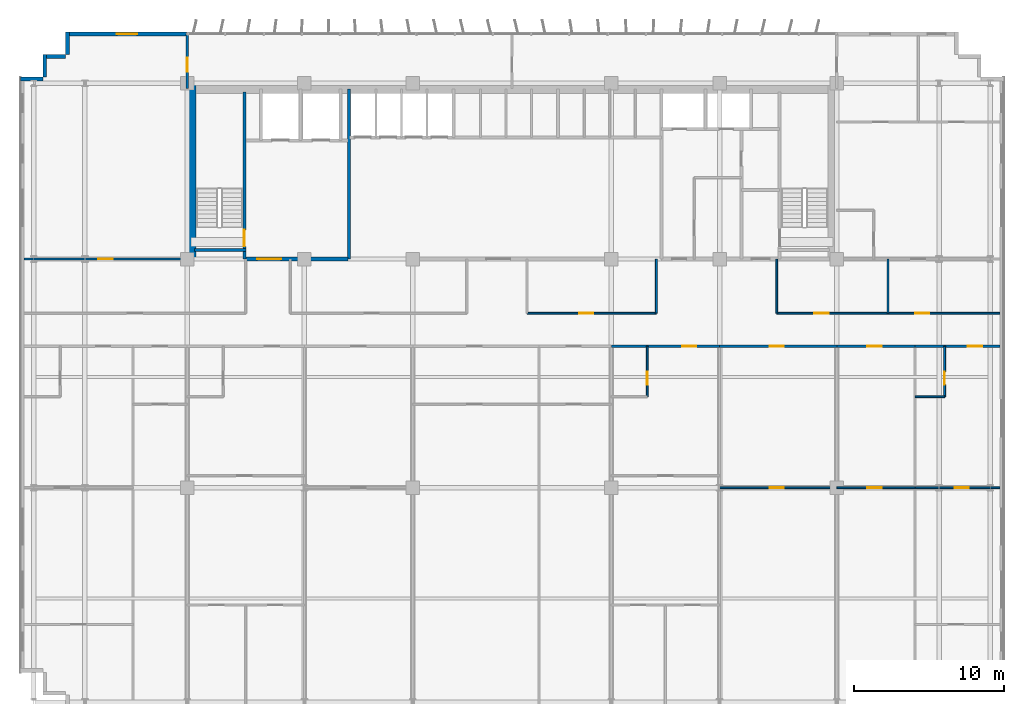
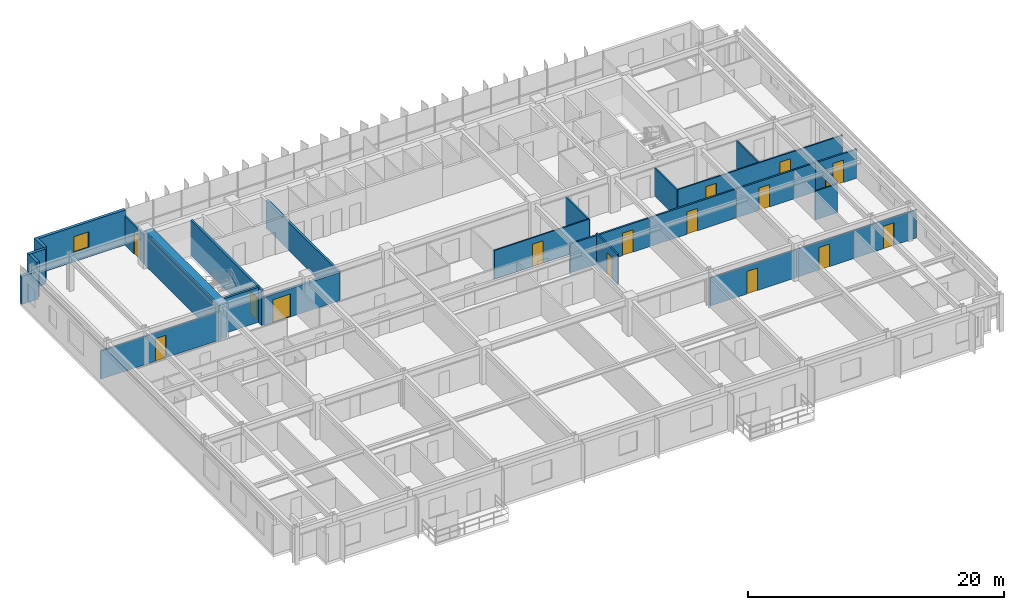
# One storey, part 17 of 22: 27 walls, 16 doors, 1 window, 17 openings.
"""IFC4 building model written with IfcOpenShell, lengths in metres."""

from ifc_helpers import new_model, si_unit, direction, frame, frame_2d, origin, place, context, subcontext, project, spatial, rectangle, extrude, source, transform, mapped, material, layer, layer_set, type_object, element, fill, save


model = new_model("IFC4")

# Units and contexts
model_context = context("Model", 3, precision=1e-05, world=origin(), true_north=direction((0.0, 1.0)))
body_context = subcontext(model_context, "Body", "Model", "MODEL_VIEW")
ifc_project = project(units=[si_unit("LENGTHUNIT", "METRE"), si_unit("AREAUNIT", "SQUARE_METRE"), si_unit("VOLUMEUNIT", "CUBIC_METRE"), si_unit("PLANEANGLEUNIT", "RADIAN"), si_unit("MASSUNIT", "GRAM", prefix="KILO")], contexts=[model_context])

# Site, building, storey
site_placement = place(None, origin())
site = spatial("IfcSite", under=ifc_project, at=site_placement, CompositionType="ELEMENT")
building_placement = place(site_placement, origin())
building = spatial("IfcBuilding", under=site, at=building_placement, Name="Trelvane Seafront Commons", CompositionType="ELEMENT")
storey_placement = place(building_placement, frame((0.0, 0.0, 52.300048828125)))
storey = spatial("IfcBuildingStorey", under=building, at=storey_placement, Name="L13", CompositionType="ELEMENT", Elevation=52.300048828125)

# Wall, opening, window
ifc_material_1 = material(Name="Precast concrete C40/50", Category="concrete")
ifc_layer_1 = layer(ifc_material_1, 0.260009765625, Name="ARCH-WALL-EXT260")
ifc_layer_set_1 = layer_set([ifc_layer_1], Name="Precast concrete C40/50")
wall_type_1 = type_object("IfcWallType", Name="ARCH-WALL-EXT260", PredefinedType="SOLIDWALL", material=ifc_layer_set_1)
wall_1_placement = place(storey_placement, frame((7.60009765625, 48.3701171875, 0.0), z_axis=(0.0, 0.0, 1.0), x_axis=(1.0, 0.0, 0.0)))
wall_1 = element("IfcWall", 1, at=wall_1_placement, inside=storey, type_object=wall_type_1, Name="EW-L13-NW-0213", PredefinedType="SOLIDWALL", context=body_context, shape_type="SweptSolid", body=[
    extrude(rectangle(XDim=8.0, YDim=0.260009765625, at=frame_2d((4.0, 0.0))), origin(), (0.0, 0.0, 1.0), 3.33984375),
])
opening_1_placement = place(wall_1_placement, frame((3.324951171875, 0.0, 0.89990234375)))
opening_1 = element("IfcOpeningElement", 2, at=opening_1_placement, cuts=wall_1, Name="Opening W09", PredefinedType="OPENING", context=body_context, shape_type="SweptSolid", body=[
    extrude(rectangle(XDim=1.35009765625, YDim=1.5, at=frame_2d((0.675048828125, 0.75))), frame((0.0, 0.139892578125, 0.0), z_axis=(0.0, -1.0, 0.0), x_axis=(1.0, 0.0, 0.0)), (0.0, 0.0, 1.0), 0.280029296875),
])
ifc_material_2 = material(Name="Low-E coastal double glazing", Category="glass")
window_type = type_object("IfcWindowType", Name="ARCH-WIN-W09", PartitioningType="SINGLE_PANEL", PredefinedType="WINDOW", material=ifc_material_2)
shared_shape_1 = source(origin(), body_context, "Body", "SweptSolid", [
    extrude(rectangle(XDim=1.35009765625, YDim=1.5, at=frame_2d((0.675048828125, 0.75))), frame((0.0, 0.030029296875, 0.0), z_axis=(0.0, -1.0, 0.0), x_axis=(1.0, 0.0, 0.0)), (0.0, 0.0, 1.0), 0.06005859375),
])
window_placement = place(opening_1_placement, origin())
window = element("IfcWindow", 3, at=window_placement, inside=storey, type_object=window_type, Name="WIN-L13-00262", OverallHeight=1.5, OverallWidth=1.35009765625, PartitioningType="SINGLE_PANEL", PredefinedType="WINDOW", context=body_context, shape_type="MappedRepresentation", body=[
    mapped(shared_shape_1, transform((0.0, 0.0, 0.0), x_axis=(1.0, 0.0, 0.0), y_axis=(0.0, 1.0, 0.0), z_axis=(0.0, 0.0, 1.0), scale=1.0)),
])
fill(opening_1, window)

# Walls
wall_2_placement = place(storey_placement, frame((4.5, 45.3701171875, 0.0), z_axis=(0.0, 0.0, 1.0), x_axis=(1.0, 0.0, 0.0)))
element("IfcWall", 4, at=wall_2_placement, inside=storey, type_object=wall_type_1, Name="EW-L13-00219", PredefinedType="SOLIDWALL", context=body_context, shape_type="SweptSolid", body=[
    extrude(rectangle(XDim=1.5, YDim=0.260009765625, at=frame_2d((0.75, 0.0))), origin(), (0.0, 0.0, 1.0), 2.68994140625),
])
for number, where, z_axis, x_axis, name in (
    (5, (6.1298828125, 45.5, 0.0), (0.0, 0.0, 1.0), (0.0, 1.0, 0.0), "EW-L13-00220"),
    (6, (6.0, 46.8701171875, 0.0), (0.0, 0.0, 1.0), (1.0, 0.0, 0.0), "EW-L13-00221"),
    (7, (7.6298828125, 47.0, 0.0), (0.0, 0.0, 1.0), (0.0, 1.0, 0.0), "EW-L13-00222"),
):
    element("IfcWall", number, at=place(storey_placement, frame(where, z_axis=z_axis, x_axis=x_axis)), inside=storey, type_object=wall_type_1, Name=name, PredefinedType="SOLIDWALL", context=body_context, shape_type="SweptSolid", body=[
        extrude(rectangle(XDim=1.5, YDim=0.260009765625, at=frame_2d((0.75, 0.0))), origin(), (0.0, 0.0, 1.0), 3.33984375),
    ])

# Wall, opening, door
ifc_material_3 = material(Name="Concrete C40/50", Category="concrete")
ifc_layer_2 = layer(ifc_material_3, 0.25, Name="ARCH-WALL-FIRE250")
ifc_layer_set_2 = layer_set([ifc_layer_2], Name="Concrete C40/50")
wall_type_2 = type_object("IfcWallType", Name="ARCH-WALL-FIRE250", PredefinedType="PARTITIONING", material=ifc_layer_set_2)
wall_3_placement = place(storey_placement, frame((19.5, 33.39990234375, 0.0), z_axis=(0.0, 0.0, 1.0), x_axis=(1.0, 0.0, 0.0)))
wall_3 = element("IfcWall", 8, at=wall_3_placement, inside=storey, type_object=wall_type_2, Name="W-L13-CS-FFL-013", PredefinedType="PARTITIONING", context=body_context, shape_type="SweptSolid", body=[
    extrude(rectangle(XDim=6.800048828125, YDim=0.25, at=frame_2d((3.39990234375, 0.0))), origin(), (0.0, 0.0, 1.0), 2.68994140625),
])
opening_2_placement = place(wall_3_placement, frame((0.75, 0.0, 0.0)))
opening_2 = element("IfcOpeningElement", 9, at=opening_2_placement, cuts=wall_3, Name="Opening FD-L13-05", PredefinedType="OPENING", context=body_context, shape_type="SweptSolid", body=[
    extrude(rectangle(XDim=1.60009765625, YDim=2.199951171875, at=frame_2d((0.800048828125, 1.10009765625))), frame((0.0, 0.135009765625, 0.0), z_axis=(0.0, -1.0, 0.0), x_axis=(1.0, 0.0, 0.0)), (0.0, 0.0, 1.0), 0.27001953125),
])
ifc_material_4 = material(Name="Powder-coated aluminium frame", Category="aluminium")
door_type_1 = type_object("IfcDoorType", Name="ARCH-DR-FD60-1600", OperationType="DOUBLE_DOOR_SINGLE_SWING", PredefinedType="DOOR", material=ifc_material_4)
shared_shape_2 = source(origin(), body_context, "Body", "SweptSolid", [
    extrude(rectangle(XDim=1.60009765625, YDim=2.199951171875, at=frame_2d((0.800048828125, 1.10009765625))), frame((0.0, 0.02490234375, 0.0), z_axis=(0.0, -1.0, 0.0), x_axis=(1.0, 0.0, 0.0)), (0.0, 0.0, 1.0), 0.050048828125),
])
door_1_placement = place(opening_2_placement, origin())
door_1 = element("IfcDoor", 10, at=door_1_placement, inside=storey, type_object=door_type_1, Name="L13 Firefighting Lift Lobby Double Fire Door", OperationType="DOUBLE_DOOR_SINGLE_SWING", OverallHeight=2.199951171875, OverallWidth=1.60009765625, PredefinedType="DOOR", context=body_context, shape_type="MappedRepresentation", body=[
    mapped(shared_shape_2, transform((0.0, 0.0, 0.0), x_axis=(1.0, 0.0, 0.0), y_axis=(0.0, 1.0, 0.0), z_axis=(0.0, 0.0, 1.0), scale=1.0)),
])
fill(opening_2, door_1)

ifc_material_5 = material(Name="Gypsum Drywall Acoustic Partition")
ifc_layer_3 = layer(ifc_material_5, 0.1201171875, Name="ARCH-WALL-PART120")
ifc_layer_set_3 = layer_set([ifc_layer_3], Name="Gypsum Drywall Acoustic Partition")
wall_type_3 = type_object("IfcWallType", Name="ARCH-WALL-PART120", PredefinedType="PARTITIONING", material=ifc_layer_set_3)
wall_4_placement = place(storey_placement, frame((38.199951171875, 29.800048828125, 0.0), z_axis=(0.0, 0.0, 1.0), x_axis=(1.0, 0.0, 0.0)))
wall_4 = element("IfcWall", 11, at=wall_4_placement, inside=storey, type_object=wall_type_3, Name="W-L13-CORR-N-M2-040", PredefinedType="PARTITIONING", context=body_context, shape_type="SweptSolid", body=[
    extrude(rectangle(XDim=8.60009765625, YDim=0.1201171875, at=frame_2d((4.300048828125, 0.0))), origin(), (0.0, 0.0, 1.0), 2.751953125),
])
opening_3_placement = place(wall_4_placement, frame((3.4619140625, 0.0, 0.0)))
opening_3 = element("IfcOpeningElement", 12, at=opening_3_placement, cuts=wall_4, Name="Opening D-L13-19", PredefinedType="OPENING", context=body_context, shape_type="SweptSolid", body=[
    extrude(rectangle(XDim=0.949951171875, YDim=2.14990234375, at=frame_2d((0.47509765625, 1.074951171875))), frame((0.0, 0.070068359375, 0.0), z_axis=(0.0, -1.0, 0.0), x_axis=(1.0, 0.0, 0.0)), (0.0, 0.0, 1.0), 0.14013671875),
])
ifc_material_6 = material(Name="Acoustic timber door leaf", Category="wood")
door_type_2 = type_object("IfcDoorType", Name="ARCH-DR-INT950", OperationType="NOTDEFINED", PredefinedType="DOOR", material=ifc_material_6)
shared_shape_3 = source(origin(), body_context, "Body", "SweptSolid", [
    extrude(rectangle(XDim=0.949951171875, YDim=2.14990234375, at=frame_2d((0.47509765625, 1.074951171875))), frame((0.0, 0.02490234375, 0.0), z_axis=(0.0, -1.0, 0.0), x_axis=(1.0, 0.0, 0.0)), (0.0, 0.0, 1.0), 0.050048828125),
])
door_2_placement = place(opening_3_placement, origin())
door_2 = element("IfcDoor", 13, at=door_2_placement, inside=storey, type_object=door_type_2, Name="L13 Door 19", OperationType="SINGLE_SWING_LEFT", OverallHeight=2.14990234375, OverallWidth=0.949951171875, PredefinedType="DOOR", context=body_context, shape_type="MappedRepresentation", body=[
    mapped(shared_shape_3, transform((0.0, 0.0, 0.0), x_axis=(1.0, 0.0, 0.0), y_axis=(0.0, 1.0, 0.0), z_axis=(0.0, 0.0, 1.0), scale=1.0)),
])
fill(opening_3, door_2)

# Wall, openings, doors
wall_5_placement = place(storey_placement, frame((54.800048828125, 29.800048828125, 0.0), z_axis=(0.0, 0.0, 1.0), x_axis=(1.0, 0.0, 0.0)))
wall_5 = element("IfcWall", 14, at=wall_5_placement, inside=storey, type_object=wall_type_3, Name="W-L13-CORR-N-E-041", PredefinedType="PARTITIONING", context=body_context, shape_type="SweptSolid", body=[
    extrude(rectangle(XDim=14.849853515625, YDim=0.1201171875, at=frame_2d((7.4248046875, 0.0))), origin(), (0.0, 0.0, 1.0), 2.751953125),
])
opening_4_placement = place(wall_5_placement, frame((2.5, 0.0, 0.0)))
opening_4 = element("IfcOpeningElement", 15, at=opening_4_placement, cuts=wall_5, Name="Opening D-L13-20", PredefinedType="OPENING", context=body_context, shape_type="SweptSolid", body=[
    extrude(rectangle(XDim=0.949951171875, YDim=2.14990234375, at=frame_2d((0.47509765625, 1.074951171875))), frame((0.0, 0.070068359375, 0.0), z_axis=(0.0, -1.0, 0.0), x_axis=(1.0, 0.0, 0.0)), (0.0, 0.0, 1.0), 0.14013671875),
])
opening_5_placement = place(wall_5_placement, frame((9.199951171875, 0.0, 0.0)))
opening_5 = element("IfcOpeningElement", 16, at=opening_5_placement, cuts=wall_5, Name="Opening D-L13-21", PredefinedType="OPENING", context=body_context, shape_type="SweptSolid", body=[
    extrude(rectangle(XDim=0.949951171875, YDim=2.14990234375, at=frame_2d((0.47509765625, 1.074951171875))), frame((0.0, 0.070068359375, 0.0), z_axis=(0.0, -1.0, 0.0), x_axis=(1.0, 0.0, 0.0)), (0.0, 0.0, 1.0), 0.14013671875),
])
door_3_placement = place(opening_4_placement, origin())
door_3 = element("IfcDoor", 17, at=door_3_placement, inside=storey, type_object=door_type_2, Name="L13 Door 20", OperationType="SINGLE_SWING_RIGHT", OverallHeight=2.14990234375, OverallWidth=0.949951171875, PredefinedType="DOOR", context=body_context, shape_type="MappedRepresentation", body=[
    mapped(shared_shape_3, transform((0.0, 0.0, 0.0), x_axis=(1.0, 0.0, 0.0), y_axis=(0.0, 1.0, 0.0), z_axis=(0.0, 0.0, 1.0), scale=1.0)),
])
fill(opening_4, door_3)
door_4_placement = place(opening_5_placement, origin())
door_4 = element("IfcDoor", 18, at=door_4_placement, inside=storey, type_object=door_type_2, Name="L13 Door 21", OperationType="SINGLE_SWING_LEFT", OverallHeight=2.14990234375, OverallWidth=0.949951171875, PredefinedType="DOOR", context=body_context, shape_type="MappedRepresentation", body=[
    mapped(shared_shape_3, transform((0.0, 0.0, 0.0), x_axis=(1.0, 0.0, 0.0), y_axis=(0.0, 1.0, 0.0), z_axis=(0.0, 0.0, 1.0), scale=1.0)),
])
fill(opening_5, door_4)

# Walls
for number, where, z_axis, x_axis, name in (
    (19, (62.199951171875, 29.800048828125, 0.0), (0.0, 0.0, 1.0), (0.0, 1.0, 0.0), "W-L13-N-LAUN-DV-042"),
    (20, (46.800048828125, 29.800048828125, 0.0), (0.0, 0.0, 1.0), (0.0, 1.0, 0.0), "W-L13-N-SPUR-E1-047"),
    (21, (54.800048828125, 29.800048828125, 0.0), (0.0, 0.0, 1.0), (0.0, 1.0, 0.0), "W-L13-N-SPUR-E2-048"),
):
    element("IfcWall", number, at=place(storey_placement, frame(where, z_axis=z_axis, x_axis=x_axis)), inside=storey, type_object=wall_type_3, Name=name, PredefinedType="PARTITIONING", context=body_context, shape_type="SweptSolid", body=[
        extrude(rectangle(XDim=3.599853515625, YDim=0.1201171875, at=frame_2d((1.7998046875, 0.0))), origin(), (0.0, 0.0, 1.0), 2.68994140625),
    ])

# Wall, opening, door
wall_6_placement = place(storey_placement, frame((46.199951171875, 24.25, 0.0), z_axis=(0.0, 0.0, 1.0), x_axis=(0.0, 1.0, 0.0)))
wall_6 = element("IfcWall", 22, at=wall_6_placement, inside=storey, type_object=wall_type_3, Name="W-L13-U7-BE-089", PredefinedType="PARTITIONING", context=body_context, shape_type="SweptSolid", body=[
    extrude(rectangle(XDim=3.35009765625, YDim=0.1201171875, at=frame_2d((1.675048828125, 0.0))), origin(), (0.0, 0.0, 1.0), 2.93994140625),
])
opening_6_placement = place(wall_6_placement, frame((0.800048828125, 0.0, 0.0)))
opening_6 = element("IfcOpeningElement", 23, at=opening_6_placement, cuts=wall_6, Name="Opening D-L13-48", PredefinedType="OPENING", context=body_context, shape_type="SweptSolid", body=[
    extrude(rectangle(XDim=0.85009765625, YDim=2.10009765625, at=frame_2d((0.425048828125, 1.050048828125))), frame((0.0, 0.070068359375, 0.0), z_axis=(0.0, -1.0, 0.0), x_axis=(1.0, 0.0, 0.0)), (0.0, 0.0, 1.0), 0.14013671875),
])
door_type_3 = type_object("IfcDoorType", Name="ARCH-DR-INT850", OperationType="NOTDEFINED", PredefinedType="DOOR", material=ifc_material_6)
shared_shape_4 = source(origin(), body_context, "Body", "SweptSolid", [
    extrude(rectangle(XDim=0.85009765625, YDim=2.10009765625, at=frame_2d((0.425048828125, 1.050048828125))), frame((0.0, 0.02490234375, 0.0), z_axis=(0.0, -1.0, 0.0), x_axis=(1.0, 0.0, 0.0)), (0.0, 0.0, 1.0), 0.050048828125),
])
door_5_placement = place(opening_6_placement, origin())
door_5 = element("IfcDoor", 24, at=door_5_placement, inside=storey, type_object=door_type_3, Name="L13 Door 48", OperationType="SINGLE_SWING_RIGHT", OverallHeight=2.10009765625, OverallWidth=0.85009765625, PredefinedType="DOOR", context=body_context, shape_type="MappedRepresentation", body=[
    mapped(shared_shape_4, transform((0.0, 0.0, 0.0), x_axis=(1.0, 0.0, 0.0), y_axis=(0.0, 1.0, 0.0), z_axis=(0.0, 0.0, 1.0), scale=1.0)),
])
fill(opening_6, door_5)

wall_7_placement = place(storey_placement, frame((51.0, 18.199951171875, 0.0), z_axis=(0.0, 0.0, 1.0), x_axis=(1.0, 0.0, 0.0)))
wall_7 = element("IfcWall", 25, at=wall_7_placement, inside=storey, type_object=wall_type_3, Name="W-L13-U8-DIV-096", PredefinedType="PARTITIONING", context=body_context, shape_type="SweptSolid", body=[
    extrude(rectangle(XDim=7.800048828125, YDim=0.1201171875, at=frame_2d((3.89990234375, 0.0))), origin(), (0.0, 0.0, 1.0), 2.68994140625),
])
opening_7_placement = place(wall_7_placement, frame((3.3330078125, 0.0, 0.0)))
opening_7 = element("IfcOpeningElement", 26, at=opening_7_placement, cuts=wall_7, Name="Opening D-L13-53", PredefinedType="OPENING", context=body_context, shape_type="SweptSolid", body=[
    extrude(rectangle(XDim=0.949951171875, YDim=2.14990234375, at=frame_2d((0.47509765625, 1.074951171875))), frame((0.0, 0.070068359375, 0.0), z_axis=(0.0, -1.0, 0.0), x_axis=(1.0, 0.0, 0.0)), (0.0, 0.0, 1.0), 0.14013671875),
])
door_6_placement = place(opening_7_placement, origin())
door_6 = element("IfcDoor", 27, at=door_6_placement, inside=storey, type_object=door_type_2, Name="L13 Door 53", OperationType="SINGLE_SWING_LEFT", OverallHeight=2.14990234375, OverallWidth=0.949951171875, PredefinedType="DOOR", context=body_context, shape_type="MappedRepresentation", body=[
    mapped(shared_shape_3, transform((0.0, 0.0, 0.0), x_axis=(1.0, 0.0, 0.0), y_axis=(0.0, 1.0, 0.0), z_axis=(0.0, 0.0, 1.0), scale=1.0)),
])
fill(opening_7, door_6)

wall_8_placement = place(storey_placement, frame((58.800048828125, 18.199951171875, 0.0), z_axis=(0.0, 0.0, 1.0), x_axis=(1.0, 0.0, 0.0)))
wall_8 = element("IfcWall", 28, at=wall_8_placement, inside=storey, type_object=wall_type_3, Name="W-L13-U9-DIV-098", PredefinedType="PARTITIONING", context=body_context, shape_type="SweptSolid", body=[
    extrude(rectangle(XDim=5.199951171875, YDim=0.1201171875, at=frame_2d((2.60009765625, 0.0))), origin(), (0.0, 0.0, 1.0), 2.68994140625),
])
opening_8_placement = place(wall_8_placement, frame((2.032958984375, 0.0, 0.0)))
opening_8 = element("IfcOpeningElement", 29, at=opening_8_placement, cuts=wall_8, Name="Opening D-L13-55", PredefinedType="OPENING", context=body_context, shape_type="SweptSolid", body=[
    extrude(rectangle(XDim=0.949951171875, YDim=2.14990234375, at=frame_2d((0.47509765625, 1.074951171875))), frame((0.0, 0.070068359375, 0.0), z_axis=(0.0, -1.0, 0.0), x_axis=(1.0, 0.0, 0.0)), (0.0, 0.0, 1.0), 0.14013671875),
])
door_7_placement = place(opening_8_placement, origin())
door_7 = element("IfcDoor", 30, at=door_7_placement, inside=storey, type_object=door_type_2, Name="L13 Door 55", OperationType="SINGLE_SWING_LEFT", OverallHeight=2.14990234375, OverallWidth=0.949951171875, PredefinedType="DOOR", context=body_context, shape_type="MappedRepresentation", body=[
    mapped(shared_shape_3, transform((0.0, 0.0, 0.0), x_axis=(1.0, 0.0, 0.0), y_axis=(0.0, 1.0, 0.0), z_axis=(0.0, 0.0, 1.0), scale=1.0)),
])
fill(opening_8, door_7)

wall_9_placement = place(storey_placement, frame((64.0, 18.199951171875, 0.0), z_axis=(0.0, 0.0, 1.0), x_axis=(1.0, 0.0, 0.0)))
wall_9 = element("IfcWall", 31, at=wall_9_placement, inside=storey, type_object=wall_type_3, Name="W-L13-U10-KL-099", PredefinedType="PARTITIONING", context=body_context, shape_type="SweptSolid", body=[
    extrude(rectangle(XDim=5.639892578125, YDim=0.1201171875, at=frame_2d((2.81982421875, 0.0))), origin(), (0.0, 0.0, 1.0), 2.68994140625),
])
opening_9_placement = place(wall_9_placement, frame((2.6259765625, 0.0, 0.0)))
opening_9 = element("IfcOpeningElement", 32, at=opening_9_placement, cuts=wall_9, Name="Opening D-L13-56", PredefinedType="OPENING", context=body_context, shape_type="SweptSolid", body=[
    extrude(rectangle(XDim=0.949951171875, YDim=2.14990234375, at=frame_2d((0.47509765625, 1.074951171875))), frame((0.0, 0.070068359375, 0.0), z_axis=(0.0, -1.0, 0.0), x_axis=(1.0, 0.0, 0.0)), (0.0, 0.0, 1.0), 0.14013671875),
])
door_8_placement = place(opening_9_placement, origin())
door_8 = element("IfcDoor", 33, at=door_8_placement, inside=storey, type_object=door_type_2, Name="L13 Door 56", OperationType="SINGLE_SWING_RIGHT", OverallHeight=2.14990234375, OverallWidth=0.949951171875, PredefinedType="DOOR", context=body_context, shape_type="MappedRepresentation", body=[
    mapped(shared_shape_3, transform((0.0, 0.0, 0.0), x_axis=(1.0, 0.0, 0.0), y_axis=(0.0, 1.0, 0.0), z_axis=(0.0, 0.0, 1.0), scale=1.0)),
])
fill(opening_9, door_8)

wall_10_placement = place(storey_placement, frame((65.967529296875, 24.25, 0.0), z_axis=(0.0, 0.0, 1.0), x_axis=(0.0, 1.0, 0.0)))
wall_10 = element("IfcWall", 34, at=wall_10_placement, inside=storey, type_object=wall_type_3, Name="W-L13-U10-BE-100", PredefinedType="PARTITIONING", context=body_context, shape_type="SweptSolid", body=[
    extrude(rectangle(XDim=3.35009765625, YDim=0.1201171875, at=frame_2d((1.675048828125, 0.0))), origin(), (0.0, 0.0, 1.0), 2.93994140625),
])
opening_10_placement = place(wall_10_placement, frame((0.800048828125, 0.0, 0.0)))
opening_10 = element("IfcOpeningElement", 35, at=opening_10_placement, cuts=wall_10, Name="Opening D-L13-57", PredefinedType="OPENING", context=body_context, shape_type="SweptSolid", body=[
    extrude(rectangle(XDim=0.85009765625, YDim=2.10009765625, at=frame_2d((0.425048828125, 1.050048828125))), frame((0.0, 0.070068359375, 0.0), z_axis=(0.0, -1.0, 0.0), x_axis=(1.0, 0.0, 0.0)), (0.0, 0.0, 1.0), 0.14013671875),
])
door_9_placement = place(opening_10_placement, origin())
door_9 = element("IfcDoor", 36, at=door_9_placement, inside=storey, type_object=door_type_3, Name="L13 Door 57", OperationType="SINGLE_SWING_LEFT", OverallHeight=2.10009765625, OverallWidth=0.85009765625, PredefinedType="DOOR", context=body_context, shape_type="MappedRepresentation", body=[
    mapped(shared_shape_4, transform((0.0, 0.0, 0.0), x_axis=(1.0, 0.0, 0.0), y_axis=(0.0, 1.0, 0.0), z_axis=(0.0, 0.0, 1.0), scale=1.0)),
])
fill(opening_10, door_9)

# Wall
wall_11_placement = place(storey_placement, frame((64.0, 24.25, 0.0), z_axis=(0.0, 0.0, 1.0), x_axis=(1.0, 0.0, 0.0)))
element("IfcWall", 37, at=wall_11_placement, inside=storey, type_object=wall_type_3, Name="W-L13-U10-BS-101", PredefinedType="PARTITIONING", context=body_context, shape_type="SweptSolid", body=[
    extrude(rectangle(XDim=1.967529296875, YDim=0.1201171875, at=frame_2d((0.98388671875, 0.0))), origin(), (0.0, 0.0, 1.0), 2.751953125),
])

# Wall, opening, door
ifc_layer_4 = layer(ifc_material_5, 0.14990234375, Name="ARCH-WALL-PART150")
ifc_layer_set_4 = layer_set([ifc_layer_4], Name="Gypsum Drywall Acoustic Partition")
wall_type_4 = type_object("IfcWallType", Name="ARCH-WALL-PART150", PredefinedType="PARTITIONING", material=ifc_layer_set_4)
wall_12_placement = place(storey_placement, frame((4.75, 33.39990234375, 0.0), z_axis=(0.0, 0.0, 1.0), x_axis=(1.0, 0.0, 0.0)))
wall_12 = element("IfcWall", 38, at=wall_12_placement, inside=storey, type_object=wall_type_4, Name="W-L13-NW-ENT-049", PredefinedType="PARTITIONING", context=body_context, shape_type="SweptSolid", body=[
    extrude(rectangle(XDim=10.85009765625, YDim=0.14990234375, at=frame_2d((5.425048828125, 0.0))), origin(), (0.0, 0.0, 1.0), 2.68994140625),
])
opening_11_placement = place(wall_12_placement, frame((4.93994140625, 0.0, 0.0)))
opening_11 = element("IfcOpeningElement", 39, at=opening_11_placement, cuts=wall_12, Name="Opening FD-L13-22", PredefinedType="OPENING", context=body_context, shape_type="SweptSolid", body=[
    extrude(rectangle(XDim=0.949951171875, YDim=2.14990234375, at=frame_2d((0.47509765625, 1.074951171875))), frame((0.0, 0.0849609375, 0.0), z_axis=(0.0, -1.0, 0.0), x_axis=(1.0, 0.0, 0.0)), (0.0, 0.0, 1.0), 0.169921875),
])
door_type_4 = type_object("IfcDoorType", Name="ARCH-DR-FD60-950", OperationType="NOTDEFINED", PredefinedType="DOOR", material=ifc_material_4)
door_10_placement = place(opening_11_placement, origin())
door_10 = element("IfcDoor", 40, at=door_10_placement, inside=storey, type_object=door_type_4, Name="L13 NW Suite Entrance Door", OperationType="SINGLE_SWING_RIGHT", OverallHeight=2.14990234375, OverallWidth=0.949951171875, PredefinedType="DOOR", context=body_context, shape_type="MappedRepresentation", body=[
    mapped(shared_shape_3, transform((0.0, 0.0, 0.0), x_axis=(1.0, 0.0, 0.0), y_axis=(0.0, 1.0, 0.0), z_axis=(0.0, 0.0, 1.0), scale=1.0)),
])
fill(opening_11, door_10)

wall_13_placement = place(storey_placement, frame((15.60009765625, 44.75, 0.0), z_axis=(0.0, 0.0, 1.0), x_axis=(0.0, 1.0, 0.0)))
wall_13 = element("IfcWall", 41, at=wall_13_placement, inside=storey, type_object=wall_type_4, Name="W-L13-N-LINK-W-057", PredefinedType="PARTITIONING", context=body_context, shape_type="SweptSolid", body=[
    extrude(rectangle(XDim=3.610107421875, YDim=0.14990234375, at=frame_2d((1.80517578125, 0.0))), origin(), (0.0, 0.0, 1.0), 2.751953125),
])
opening_12_placement = place(wall_13_placement, frame((1.10009765625, 0.0, 0.0)))
opening_12 = element("IfcOpeningElement", 42, at=opening_12_placement, cuts=wall_13, Name="Opening FD-L13-28", PredefinedType="OPENING", context=body_context, shape_type="SweptSolid", body=[
    extrude(rectangle(XDim=0.949951171875, YDim=2.14990234375, at=frame_2d((0.47509765625, 1.074951171875))), frame((0.0, 0.0849609375, 0.0), z_axis=(0.0, -1.0, 0.0), x_axis=(1.0, 0.0, 0.0)), (0.0, 0.0, 1.0), 0.169921875),
])
door_11_placement = place(opening_12_placement, origin())
door_11 = element("IfcDoor", 43, at=door_11_placement, inside=storey, type_object=door_type_4, Name="L13 Door 28", OperationType="SINGLE_SWING_RIGHT", OverallHeight=2.14990234375, OverallWidth=0.949951171875, PredefinedType="DOOR", context=body_context, shape_type="MappedRepresentation", body=[
    mapped(shared_shape_3, transform((0.0, 0.0, 0.0), x_axis=(1.0, 0.0, 0.0), y_axis=(0.0, 1.0, 0.0), z_axis=(0.0, 0.0, 1.0), scale=1.0)),
])
fill(opening_12, door_11)

wall_14_placement = place(storey_placement, frame((43.800048828125, 27.60009765625, 0.0), z_axis=(0.0, 0.0, 1.0), x_axis=(1.0, 0.0, 0.0)))
wall_14 = element("IfcWall", 44, at=wall_14_placement, inside=storey, type_object=wall_type_4, Name="W-L13-CS-BAY-7-091", PredefinedType="PARTITIONING", context=body_context, shape_type="SweptSolid", body=[
    extrude(rectangle(XDim=7.199951171875, YDim=0.14990234375, at=frame_2d((3.60009765625, 0.0))), origin(), (0.0, 0.0, 1.0), 2.751953125),
])
opening_13_placement = place(wall_14_placement, frame((4.7060546875, 0.0, 0.0)))
opening_13 = element("IfcOpeningElement", 45, at=opening_13_placement, cuts=wall_14, Name="Opening FD-L13-49", PredefinedType="OPENING", context=body_context, shape_type="SweptSolid", body=[
    extrude(rectangle(XDim=0.949951171875, YDim=2.14990234375, at=frame_2d((0.47509765625, 1.074951171875))), frame((0.0, 0.0849609375, 0.0), z_axis=(0.0, -1.0, 0.0), x_axis=(1.0, 0.0, 0.0)), (0.0, 0.0, 1.0), 0.169921875),
])
door_12_placement = place(opening_13_placement, origin())
door_12 = element("IfcDoor", 46, at=door_12_placement, inside=storey, type_object=door_type_4, Name="L13 Unit 07 Entrance Door", OperationType="SINGLE_SWING_LEFT", OverallHeight=2.14990234375, OverallWidth=0.949951171875, PredefinedType="DOOR", context=body_context, shape_type="MappedRepresentation", body=[
    mapped(shared_shape_3, transform((0.0, 0.0, 0.0), x_axis=(1.0, 0.0, 0.0), y_axis=(0.0, 1.0, 0.0), z_axis=(0.0, 0.0, 1.0), scale=1.0)),
])
fill(opening_13, door_12)

wall_15_placement = place(storey_placement, frame((51.0, 27.60009765625, 0.0), z_axis=(0.0, 0.0, 1.0), x_axis=(1.0, 0.0, 0.0)))
wall_15 = element("IfcWall", 47, at=wall_15_placement, inside=storey, type_object=wall_type_4, Name="W-L13-CS-BAY-8-095", PredefinedType="PARTITIONING", context=body_context, shape_type="SweptSolid", body=[
    extrude(rectangle(XDim=7.800048828125, YDim=0.14990234375, at=frame_2d((3.89990234375, 0.0))), origin(), (0.0, 0.0, 1.0), 2.751953125),
])
opening_14_placement = place(wall_15_placement, frame((3.3330078125, 0.0, 0.0)))
opening_14 = element("IfcOpeningElement", 48, at=opening_14_placement, cuts=wall_15, Name="Opening FD-L13-52", PredefinedType="OPENING", context=body_context, shape_type="SweptSolid", body=[
    extrude(rectangle(XDim=0.949951171875, YDim=2.14990234375, at=frame_2d((0.47509765625, 1.074951171875))), frame((0.0, 0.0849609375, 0.0), z_axis=(0.0, -1.0, 0.0), x_axis=(1.0, 0.0, 0.0)), (0.0, 0.0, 1.0), 0.169921875),
])
door_13_placement = place(opening_14_placement, origin())
door_13 = element("IfcDoor", 49, at=door_13_placement, inside=storey, type_object=door_type_4, Name="L13 Bay 08 Entrance Door", OperationType="SINGLE_SWING_RIGHT", OverallHeight=2.14990234375, OverallWidth=0.949951171875, PredefinedType="DOOR", context=body_context, shape_type="MappedRepresentation", body=[
    mapped(shared_shape_3, transform((0.0, 0.0, 0.0), x_axis=(1.0, 0.0, 0.0), y_axis=(0.0, 1.0, 0.0), z_axis=(0.0, 0.0, 1.0), scale=1.0)),
])
fill(opening_14, door_13)

wall_16_placement = place(storey_placement, frame((58.800048828125, 27.60009765625, 0.0), z_axis=(0.0, 0.0, 1.0), x_axis=(1.0, 0.0, 0.0)))
wall_16 = element("IfcWall", 50, at=wall_16_placement, inside=storey, type_object=wall_type_4, Name="W-L13-CS-BAY-9-097", PredefinedType="PARTITIONING", context=body_context, shape_type="SweptSolid", body=[
    extrude(rectangle(XDim=5.199951171875, YDim=0.14990234375, at=frame_2d((2.60009765625, 0.0))), origin(), (0.0, 0.0, 1.0), 2.751953125),
])
opening_15_placement = place(wall_16_placement, frame((2.032958984375, 0.0, 0.0)))
opening_15 = element("IfcOpeningElement", 51, at=opening_15_placement, cuts=wall_16, Name="Opening FD-L13-54", PredefinedType="OPENING", context=body_context, shape_type="SweptSolid", body=[
    extrude(rectangle(XDim=0.949951171875, YDim=2.14990234375, at=frame_2d((0.47509765625, 1.074951171875))), frame((0.0, 0.0849609375, 0.0), z_axis=(0.0, -1.0, 0.0), x_axis=(1.0, 0.0, 0.0)), (0.0, 0.0, 1.0), 0.169921875),
])
door_14_placement = place(opening_15_placement, origin())
door_14 = element("IfcDoor", 52, at=door_14_placement, inside=storey, type_object=door_type_4, Name="L13 Bay 09 Entrance Door", OperationType="SINGLE_SWING_RIGHT", OverallHeight=2.14990234375, OverallWidth=0.949951171875, PredefinedType="DOOR", context=body_context, shape_type="MappedRepresentation", body=[
    mapped(shared_shape_3, transform((0.0, 0.0, 0.0), x_axis=(1.0, 0.0, 0.0), y_axis=(0.0, 1.0, 0.0), z_axis=(0.0, 0.0, 1.0), scale=1.0)),
])
fill(opening_15, door_14)

wall_17_placement = place(storey_placement, frame((64.0, 27.60009765625, 0.0), z_axis=(0.0, 0.0, 1.0), x_axis=(1.0, 0.0, 0.0)))
wall_17 = element("IfcWall", 53, at=wall_17_placement, inside=storey, type_object=wall_type_4, Name="W-L13-CS-BAY-10-102", PredefinedType="PARTITIONING", context=body_context, shape_type="SweptSolid", body=[
    extrude(rectangle(XDim=5.655029296875, YDim=0.14990234375, at=frame_2d((2.82763671875, 0.0))), origin(), (0.0, 0.0, 1.0), 2.751953125),
])
opening_16_placement = place(wall_17_placement, frame((3.52099609375, 0.0, 0.0)))
opening_16 = element("IfcOpeningElement", 54, at=opening_16_placement, cuts=wall_17, Name="Opening FD-L13-58", PredefinedType="OPENING", context=body_context, shape_type="SweptSolid", body=[
    extrude(rectangle(XDim=0.949951171875, YDim=2.14990234375, at=frame_2d((0.47509765625, 1.074951171875))), frame((0.0, 0.0849609375, 0.0), z_axis=(0.0, -1.0, 0.0), x_axis=(1.0, 0.0, 0.0)), (0.0, 0.0, 1.0), 0.169921875),
])
door_15_placement = place(opening_16_placement, origin())
door_15 = element("IfcDoor", 55, at=door_15_placement, inside=storey, type_object=door_type_4, Name="L13 Unit 10 Entrance Door", OperationType="SINGLE_SWING_RIGHT", OverallHeight=2.14990234375, OverallWidth=0.949951171875, PredefinedType="DOOR", context=body_context, shape_type="MappedRepresentation", body=[
    mapped(shared_shape_3, transform((0.0, 0.0, 0.0), x_axis=(1.0, 0.0, 0.0), y_axis=(0.0, 1.0, 0.0), z_axis=(0.0, 0.0, 1.0), scale=1.0)),
])
fill(opening_16, door_15)

# Walls
ifc_layer_5 = layer(ifc_material_3, 0.199951171875, Name="ARCH-WALL-SHAFT200")
ifc_layer_set_5 = layer_set([ifc_layer_5], Name="Concrete C40/50")
wall_type_5 = type_object("IfcWallType", Name="ARCH-WALL-SHAFT200", PredefinedType="SOLIDWALL", material=ifc_layer_set_5)
wall_18_placement = place(storey_placement, frame((26.35009765625, 33.39990234375, 0.0), z_axis=(0.0, 0.0, 1.0), x_axis=(0.0, 1.0, 0.0)))
element("IfcWall", 56, at=wall_18_placement, inside=storey, type_object=wall_type_5, Name="W-L13-FFL-EAST-012", PredefinedType="SOLIDWALL", context=body_context, shape_type="SweptSolid", body=[
    extrude(rectangle(XDim=11.300048828125, YDim=0.199951171875, at=frame_2d((5.64990234375, 0.0))), origin(), (0.0, 0.0, 1.0), 2.68994140625),
])
ifc_material_7 = material(Name="Concrete C60/75", Category="concrete")
ifc_layer_6 = layer(ifc_material_7, 0.699951171875, Name="STR-WALL-CORE700")
ifc_layer_set_6 = layer_set([ifc_layer_6], Name="Concrete C60/75")
wall_type_6 = type_object("IfcWallType", Name="STR-WALL-CORE700", PredefinedType="SHEAR", material=ifc_layer_set_6)
wall_19_placement = place(storey_placement, frame((15.85009765625, 33.39990234375, 0.0), z_axis=(0.0, 0.0, 1.0), x_axis=(0.0, 1.0, 0.0)))
element("IfcWall", 57, at=wall_19_placement, inside=storey, type_object=wall_type_6, Name="W-L13-CW-END-002", PredefinedType="SHEAR", context=body_context, shape_type="SweptSolid", body=[
    extrude(rectangle(XDim=11.7001953125, YDim=0.699951171875, at=frame_2d((5.85009765625, 0.0))), origin(), (0.0, 0.0, 1.0), 3.33984375),
])
ifc_material_8 = material(Name="Concrete C50/60", Category="concrete")
ifc_layer_7 = layer(ifc_material_8, 0.199951171875, Name="STR-WALL-STAIR200")
ifc_layer_set_7 = layer_set([ifc_layer_7], Name="Concrete C50/60")
wall_type_7 = type_object("IfcWallType", Name="STR-WALL-STAIR200", PredefinedType="SHEAR", material=ifc_layer_set_7)
wall_20_placement = place(storey_placement, frame((16.10009765625, 34.0, 0.0), z_axis=(0.0, 0.0, 1.0), x_axis=(1.0, 0.0, 0.0)))
element("IfcWall", 58, at=wall_20_placement, inside=storey, type_object=wall_type_7, Name="W-L13-ST1-S-004", PredefinedType="SHEAR", context=body_context, shape_type="SweptSolid", body=[
    extrude(rectangle(XDim=3.39990234375, YDim=0.199951171875, at=frame_2d((1.699951171875, 0.0))), origin(), (0.0, 0.0, 1.0), 3.33984375),
])

# Wall, opening, door
wall_21_placement = place(storey_placement, frame((19.39990234375, 33.39990234375, 0.0), z_axis=(0.0, 0.0, 1.0), x_axis=(0.0, 1.0, 0.0)))
wall_21 = element("IfcWall", 59, at=wall_21_placement, inside=storey, type_object=wall_type_7, Name="W-L13-ST1-E-005", PredefinedType="SHEAR", context=body_context, shape_type="SweptSolid", body=[
    extrude(rectangle(XDim=11.10009765625, YDim=0.199951171875, at=frame_2d((5.550048828125, 0.0))), origin(), (0.0, 0.0, 1.0), 3.33984375),
])
opening_17_placement = place(wall_21_placement, frame((0.85009765625, 0.0, 0.0)))
opening_17 = element("IfcOpeningElement", 60, at=opening_17_placement, cuts=wall_21, Name="Opening ST-D1-L13", PredefinedType="OPENING", context=body_context, shape_type="SweptSolid", body=[
    extrude(rectangle(XDim=1.10009765625, YDim=2.14990234375, at=frame_2d((0.550048828125, 1.074951171875))), frame((0.0, 0.10986328125, 0.0), z_axis=(0.0, -1.0, 0.0), x_axis=(1.0, 0.0, 0.0)), (0.0, 0.0, 1.0), 0.219970703125),
])
door_type_5 = type_object("IfcDoorType", Name="ARCH-DR-FD90-1100", OperationType="NOTDEFINED", PredefinedType="DOOR", material=ifc_material_4)
shared_shape_5 = source(origin(), body_context, "Body", "SweptSolid", [
    extrude(rectangle(XDim=1.10009765625, YDim=2.14990234375, at=frame_2d((0.550048828125, 1.074951171875))), frame((0.0, 0.02490234375, 0.0), z_axis=(0.0, -1.0, 0.0), x_axis=(1.0, 0.0, 0.0)), (0.0, 0.0, 1.0), 0.050048828125),
])
door_16_placement = place(opening_17_placement, origin())
door_16 = element("IfcDoor", 61, at=door_16_placement, inside=storey, type_object=door_type_5, Name="L13 Stair ST-1 Lobby Fire Door", OperationType="SINGLE_SWING_LEFT", OverallHeight=2.14990234375, OverallWidth=1.10009765625, PredefinedType="DOOR", context=body_context, shape_type="MappedRepresentation", body=[
    mapped(shared_shape_5, transform((0.0, 0.0, 0.0), x_axis=(1.0, 0.0, 0.0), y_axis=(0.0, 1.0, 0.0), z_axis=(0.0, 0.0, 1.0), scale=1.0)),
])
fill(opening_17, door_16)

save(model, "model.ifc")
